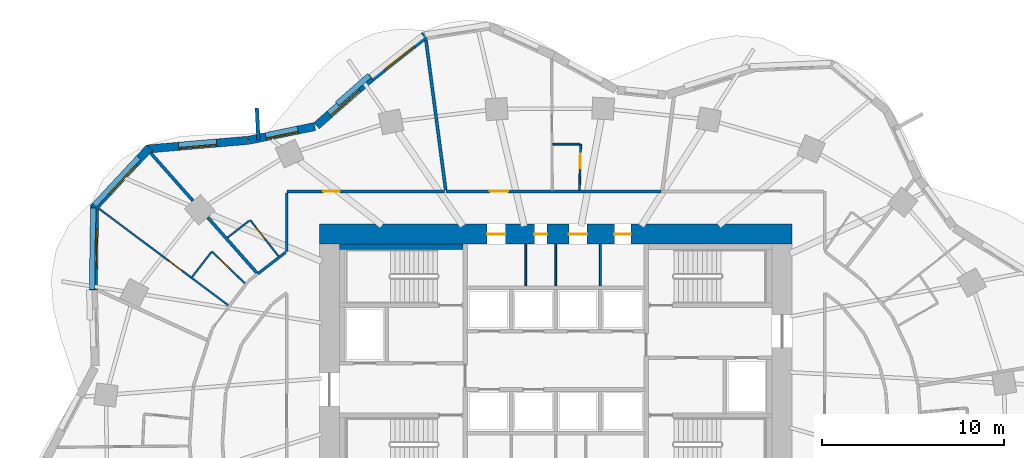
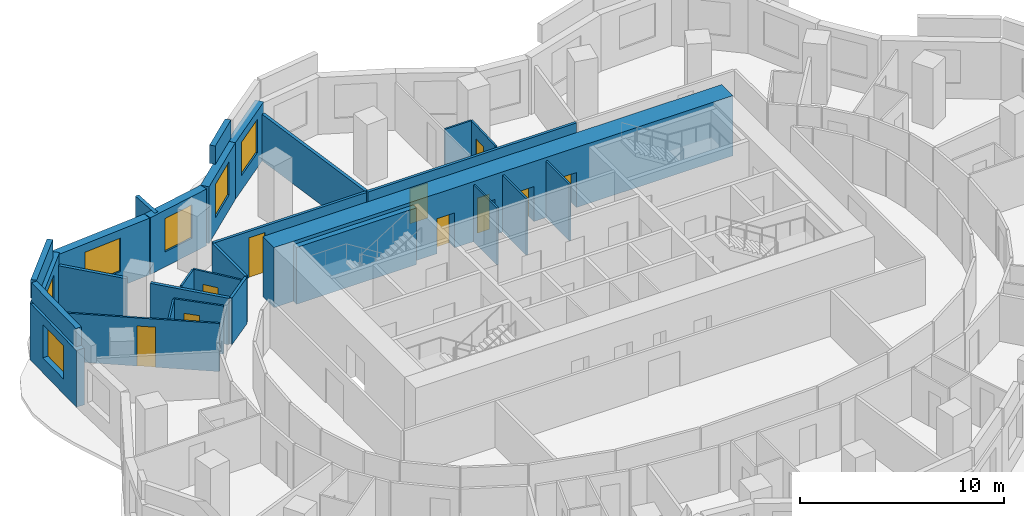
# One storey, part 8 of 11: 29 walls, 10 doors, 6 windows, 16 openings.
"""IFC4 building model written with IfcOpenShell, lengths in metres."""

import ifcopenshell
import ifcopenshell.guid

model = None  # the IFC model being written
_history = None  # IfcOwnerHistory: only IFC2X3 demands one
_inside = {}  # id of a spatial element -> (the spatial element, [elements in it])
_under = {}  # id of a project, library or spatial element -> (it, [spatial elements below it])
_declared = {}  # id of a project -> (the project, [libraries it declares])
_typed = {}  # id of a type object -> (the type object, [elements of that type])
_made_of = {}  # id of a material, layer set ... -> (it, [elements and type objects made of it])


def new_model(schema):
    """Start an empty IFC model of exactly this schema.

    Asked for "IFC4X3", IfcOpenShell would pick the latest addendum, in which some entities
    have other attributes; the version numbers below select the first issue.
    IFC2X3 requires an IfcOwnerHistory on every rooted entity: one is made here for all.
    """
    global model, _history
    if schema == "IFC4X3":
        model = ifcopenshell.file(schema_version=(4, 3, 0, 0))
    else:
        model = ifcopenshell.file(schema=schema)
    _inside.clear()
    _under.clear()
    _declared.clear()
    _typed.clear()
    _made_of.clear()
    _history = None
    if model.schema == "IFC2X3":
        org = make("IfcOrganization", Name="unknown")
        user = make(
            "IfcPersonAndOrganization",
            ThePerson=make("IfcPerson", FamilyName="unknown"),
            TheOrganization=org,
        )
        app = make(
            "IfcApplication",
            ApplicationDeveloper=org,
            Version="unknown",
            ApplicationFullName="unknown",
            ApplicationIdentifier="unknown",
        )
        _history = make(
            "IfcOwnerHistory",
            OwningUser=user,
            OwningApplication=app,
            ChangeAction="ADDED",
            CreationDate=0,
        )
    return model


def make(cls, **values):
    """One entity of the class cls with the attributes given. An attribute that is None is left unset."""
    return model.create_entity(
        cls, **{name: value for name, value in values.items() if value is not None}
    )


def rooted(cls, **values):
    """An entity with a GlobalId (a new one), such as an element, a storey or a relation."""
    return make(cls, GlobalId=ifcopenshell.guid.new(), OwnerHistory=_history, **values)


def si_unit(unit_type, name, prefix=None):
    """IfcSIUnit, for example si_unit("LENGTHUNIT", "METRE", prefix="MILLI")."""
    return make("IfcSIUnit", UnitType=unit_type, Prefix=prefix, Name=name)


def assignment(units):
    """IfcUnitAssignment: the units of a project."""
    return None if units is None else make("IfcUnitAssignment", Units=units)


def point(xyz):
    """IfcCartesianPoint."""
    return None if xyz is None else make("IfcCartesianPoint", Coordinates=xyz)


def direction(xyz):
    """IfcDirection."""
    return None if xyz is None else make("IfcDirection", DirectionRatios=xyz)


def frame(location, z_axis=None, x_axis=None):
    """IfcAxis2Placement3D, a coordinate frame: its origin and axes. An axis left out is left unset."""
    return make(
        "IfcAxis2Placement3D",
        Location=point(location),
        Axis=direction(z_axis),
        RefDirection=direction(x_axis),
    )


def frame_2d(location, x_axis=None):
    """IfcAxis2Placement2D, a coordinate frame in the plane: its origin and x axis."""
    return make(
        "IfcAxis2Placement2D", Location=point(location), RefDirection=direction(x_axis)
    )


def origin():
    """The frame at (0, 0, 0) with its axes left unset."""
    return frame((0.0, 0.0, 0.0))


def place(relative_to, where):
    """IfcLocalPlacement: puts the frame where relative to a parent placement (None: the world)."""
    return make(
        "IfcLocalPlacement", PlacementRelTo=relative_to, RelativePlacement=where
    )


def context(
    kind, dimensions, precision=None, world=None, true_north=None, identifier=None
):
    """IfcGeometricRepresentationContext, for example the 3D "Model" context."""
    return make(
        "IfcGeometricRepresentationContext",
        ContextIdentifier=identifier,
        ContextType=kind,
        CoordinateSpaceDimension=dimensions,
        Precision=precision,
        WorldCoordinateSystem=world,
        TrueNorth=true_north,
    )


def subcontext(parent, identifier, kind, view, scale=None):
    """IfcGeometricRepresentationSubContext, for example "Body" below "Model"."""
    return make(
        "IfcGeometricRepresentationSubContext",
        ContextIdentifier=identifier,
        ContextType=kind,
        ParentContext=parent,
        TargetScale=scale,
        TargetView=view,
    )


def project(units=None, contexts=None):
    """IfcProject with its units and contexts."""
    return rooted(
        "IfcProject",
        Name="project",
        RepresentationContexts=contexts,
        UnitsInContext=assignment(units),
    )


def spatial(cls, under=None, at=None, **own):
    """A site, building, storey or space (cls), placed at a placement, below another one or the project."""
    s = rooted(cls, ObjectPlacement=at, **own)
    if under is not None:
        _under.setdefault(under.id(), (under, []))[1].append(s)
    return s


def profile(cls, at=None, kind="AREA", **sizes):
    """A parametric profile (cls). Its sizes go by their IFC names, for example OverallWidth=200.0."""
    return make(cls, ProfileType=kind, Position=at, **sizes)


def rectangle(**sizes):
    """IfcRectangleProfileDef."""
    return profile("IfcRectangleProfileDef", **sizes)


def extrude(swept, where, along, depth):
    """IfcExtrudedAreaSolid: the profile swept, set in the frame where, extruded along a direction by depth."""
    return make(
        "IfcExtrudedAreaSolid",
        SweptArea=swept,
        Position=where,
        ExtrudedDirection=direction(along),
        Depth=depth,
    )


def shape(context_of_items, identifier, shape_type, items):
    """IfcShapeRepresentation: the items that make up one representation, for example the "Body"."""
    return make(
        "IfcShapeRepresentation",
        ContextOfItems=context_of_items,
        RepresentationIdentifier=identifier,
        RepresentationType=shape_type,
        Items=items,
    )


def material(Name=None, Category=None):
    """IfcMaterial."""
    return make("IfcMaterial", Name=Name, Category=Category)


def layer(
    of_material, thickness, ventilated=None, Name=None, Category=None, Priority=None
):
    """IfcMaterialLayer: one layer of a wall or slab, of a material (None: an air gap)."""
    return make(
        "IfcMaterialLayer",
        Material=of_material,
        LayerThickness=thickness,
        IsVentilated=ventilated,
        Name=Name,
        Category=Category,
        Priority=Priority,
    )


def layer_set(layers, Name=None):
    """IfcMaterialLayerSet."""
    return make("IfcMaterialLayerSet", MaterialLayers=layers, LayerSetName=Name)


def made_of(thing, what):
    """Note that an element or type object is made of a material, layer set ...; save() writes the relation."""
    if what is not None:
        _made_of.setdefault(what.id(), (what, []))[1].append(thing)
    return thing


def type_object(cls, material=None, **own):
    """A type object (cls), such as IfcWallType, which elements share."""
    return made_of(rooted(cls, **own), material)


def element(
    cls,
    number,
    at=None,
    inside=None,
    cuts=None,
    type_object=None,
    material=None,
    context=None,
    identifier="Body",
    shape_type=None,
    held_by="IfcProductDefinitionShape",
    body=None,
    shapes=None,
    **own,
):
    """One element of the class cls, such as IfcWall. Its Tag is "e" and its number.

    at: its placement. inside: the storey or other place that contains it. cuts: it is an
    opening in that element (IfcRelVoidsElement). A single representation is given by context,
    identifier, shape_type and body (its items); several are given by shapes. held_by: the class
    of the entity that holds the representations. save() writes the other relations.
    """
    e = rooted(cls, Tag="e%d" % number, ObjectPlacement=at, **own)
    if body is not None:
        shapes = [shape(context, identifier, shape_type, body)]
    if shapes is not None:
        e.Representation = make(held_by, Representations=shapes)
    if inside is not None:
        _inside.setdefault(inside.id(), (inside, []))[1].append(e)
    if cuts is not None:
        rooted(
            "IfcRelVoidsElement", RelatingBuildingElement=cuts, RelatedOpeningElement=e
        )
    if type_object is not None:
        _typed.setdefault(type_object.id(), (type_object, []))[1].append(e)
    return made_of(e, material)


def fill(opening, filler):
    """IfcRelFillsElement: the door or window that sits in an opening."""
    return rooted(
        "IfcRelFillsElement",
        RelatingOpeningElement=opening,
        RelatedBuildingElement=filler,
    )


def aggregate(whole, parts):
    """IfcRelAggregates: a whole, such as a stair, and the parts it consists of."""
    return rooted("IfcRelAggregates", RelatingObject=whole, RelatedObjects=parts)


def save(model, path):
    """Write the relations noted so far, then the file.

    IfcRelAggregates (storeys below a building ...), IfcRelContainedInSpatialStructure (elements
    in a storey), IfcRelDefinesByType, IfcRelAssociatesMaterial and IfcRelDeclares: one each for
    every whole, place, type object, material and project.
    """
    for whole, parts in _under.values():
        aggregate(whole, parts)
    for where, things in _inside.values():
        rooted(
            "IfcRelContainedInSpatialStructure",
            RelatedElements=things,
            RelatingStructure=where,
        )
    for kind, things in _typed.values():
        rooted("IfcRelDefinesByType", RelatedObjects=things, RelatingType=kind)
    for what, things in _made_of.values():
        rooted("IfcRelAssociatesMaterial", RelatedObjects=things, RelatingMaterial=what)
    for by, libraries in _declared.values():
        rooted("IfcRelDeclares", RelatingContext=by, RelatedDefinitions=libraries)
    model.write(path)


model = new_model("IFC4")

# Units and contexts
model_context = context("Model", 3, precision=1e-05, world=origin(), true_north=direction((0.0, 1.0)))
body_context = subcontext(model_context, "Body", "Model", "MODEL_VIEW")
ifc_project = project(units=[si_unit("LENGTHUNIT", "METRE"), si_unit("AREAUNIT", "SQUARE_METRE"), si_unit("VOLUMEUNIT", "CUBIC_METRE"), si_unit("PLANEANGLEUNIT", "RADIAN"), si_unit("MASSUNIT", "GRAM", prefix="KILO")], contexts=[model_context])

# Site, building, storey
site_placement = place(None, origin())
site = spatial("IfcSite", under=ifc_project, at=site_placement, CompositionType="ELEMENT")
building_placement = place(site_placement, origin())
building = spatial("IfcBuilding", under=site, at=building_placement, Name="Rubra Terraces Tower", CompositionType="ELEMENT")
storey_placement = place(building_placement, frame((0.0, 0.0, 114.0)))
storey = spatial("IfcBuildingStorey", under=building, at=storey_placement, Name="L27", CompositionType="ELEMENT", Elevation=114.0)

# Walls
ifc_material_1 = material(Name="Twin plasterboard on staggered steel stud, acoustic mineral wool", Category="steel")
ifc_layer_1 = layer(ifc_material_1, 0.175048828125)
ifc_layer_set_1 = layer_set([ifc_layer_1], Name="Twin plasterboard on staggered steel stud, acoustic mineral wool")
wall_type_1 = type_object("IfcWallType", Name="ACOUSTIC PARTY WALL 175", PredefinedType="PARTITIONING", material=ifc_layer_set_1)
wall_1_placement = place(storey_placement, frame((-7.1435546875, 22.129638671875, 0.0), z_axis=(0.0, 0.0, 1.0), x_axis=(0.130452237095, -0.991454594945, 0.0)))
element("IfcWall", 1, at=wall_1_placement, inside=storey, type_object=wall_type_1, Name="PARTITION", PredefinedType="PARTITIONING", context=body_context, shape_type="SweptSolid", body=[
    extrude(rectangle(XDim=8.326171875, YDim=0.175048828125, at=frame_2d((4.1630859375, 0.0))), origin(), (0.0, 0.0, 1.0), 2.783935546875),
])
wall_2_placement = place(storey_placement, frame((-22.295166015625, 15.91796875, 0.0), z_axis=(0.0, 0.0, 1.0), x_axis=(0.663107572679, -0.748524112541, 0.0)))
element("IfcWall", 2, at=wall_2_placement, inside=storey, type_object=wall_type_1, Name="PARTITION", PredefinedType="PARTITIONING", context=body_context, shape_type="SweptSolid", body=[
    extrude(rectangle(XDim=3.5126953125, YDim=0.175048828125, at=frame_2d((1.75634765625, 0.0))), origin(), (0.0, 0.0, 1.0), 2.783935546875),
])
wall_3_placement = place(storey_placement, frame((-19.143310546875, 12.3603515625, 0.0), z_axis=(0.0, 0.0, 1.0), x_axis=(0.663132391124, -0.748502125476, 0.0)))
element("IfcWall", 3, at=wall_3_placement, inside=storey, type_object=wall_type_1, Name="PARTITION", PredefinedType="PARTITIONING", context=body_context, shape_type="SweptSolid", body=[
    extrude(rectangle(XDim=4.063720703125, YDim=0.175048828125, at=frame_2d((2.03173828125, 0.0))), origin(), (0.0, 0.0, 1.0), 2.783935546875),
])

# Wall, opening, window
ifc_material_2 = material(Name="Brick masonry red-brown", Category="masonry")
ifc_layer_2 = layer(ifc_material_2, 0.449951171875)
ifc_layer_set_2 = layer_set([ifc_layer_2], Name="Brick masonry red-brown")
wall_type_2 = type_object("IfcWallType", Name="Brick facade wall 450", PredefinedType="SOLIDWALL", material=ifc_layer_set_2)
wall_4_placement = place(storey_placement, frame((-7.192626953125, 22.3828125, 0.0), z_axis=(0.0, 0.0, 1.0), x_axis=(-0.784803291184, -0.619744942816, 0.0)))
wall_4 = element("IfcWall", 4, at=wall_4_placement, inside=storey, type_object=wall_type_2, Name="Facade wall L27 bay 13", PredefinedType="SOLIDWALL", context=body_context, shape_type="SweptSolid", body=[
    extrude(rectangle(XDim=3.774658203125, YDim=0.449951171875, at=frame_2d((1.88720703125, 0.0))), origin(), (0.0, 0.0, 1.0), 3.39990234375),
])
opening_1_placement = place(wall_4_placement, frame((0.83740234375, 0.0, 0.89990234375)))
opening_1 = element("IfcOpeningElement", 5, at=opening_1_placement, cuts=wall_4, Name="Opening W1", PredefinedType="OPENING", context=body_context, shape_type="SweptSolid", body=[
    extrude(rectangle(XDim=2.10009765625, YDim=2.0, at=frame_2d((1.050048828125, 1.0))), frame((0.0, 0.23486328125, 0.0), z_axis=(0.0, -1.0, 0.0), x_axis=(1.0, 0.0, 0.0)), (0.0, 0.0, 1.0), 0.469970703125),
])
ifc_material_3 = material(Name="Clear glass in aluminium frame", Category="aluminium")
window_type_1 = type_object("IfcWindowType", Name="Fixed deep-set window 2100 x 2000", PartitioningType="SINGLE_PANEL", PredefinedType="WINDOW", material=ifc_material_3)
window_1_placement = place(opening_1_placement, origin())
window_1 = element("IfcWindow", 6, at=window_1_placement, inside=storey, type_object=window_type_1, Name="Window L27 bay 13", OverallHeight=2.0, OverallWidth=2.10009765625, PartitioningType="SINGLE_PANEL", PredefinedType="WINDOW", context=body_context, shape_type="SweptSolid", body=[
    extrude(rectangle(XDim=2.10009765625, YDim=2.0, at=frame_2d((1.050048828125, 1.0))), frame((0.0, 0.135009765625, 0.0), z_axis=(0.0, -1.0, 0.0), x_axis=(1.0, 0.0, 0.0)), (0.0, 0.0, 1.0), 0.06005859375),
])
fill(opening_1, window_1)

wall_5_placement = place(storey_placement, frame((-10.146484375, 20.050537109375, 0.0), z_axis=(0.0, 0.0, 1.0), x_axis=(-0.753278140428, -0.657702093013, 0.0)))
wall_5 = element("IfcWall", 7, at=wall_5_placement, inside=storey, type_object=wall_type_2, Name="Facade wall L27 bay 14", PredefinedType="SOLIDWALL", context=body_context, shape_type="SweptSolid", body=[
    extrude(rectangle(XDim=4.0078125, YDim=0.449951171875, at=frame_2d((2.00390625, 0.0))), origin(), (0.0, 0.0, 1.0), 3.39990234375),
])
opening_2_placement = place(wall_5_placement, frame((0.9541015625, 0.0, 0.89990234375)))
opening_2 = element("IfcOpeningElement", 8, at=opening_2_placement, cuts=wall_5, Name="Opening W1", PredefinedType="OPENING", context=body_context, shape_type="SweptSolid", body=[
    extrude(rectangle(XDim=2.10009765625, YDim=2.0, at=frame_2d((1.050048828125, 1.0))), frame((0.0, 0.23486328125, 0.0), z_axis=(0.0, -1.0, 0.0), x_axis=(1.0, 0.0, 0.0)), (0.0, 0.0, 1.0), 0.469970703125),
])
window_2_placement = place(opening_2_placement, origin())
window_2 = element("IfcWindow", 9, at=window_2_placement, inside=storey, type_object=window_type_1, Name="Window L27 bay 14", OverallHeight=2.0, OverallWidth=2.10009765625, PartitioningType="SINGLE_PANEL", PredefinedType="WINDOW", context=body_context, shape_type="SweptSolid", body=[
    extrude(rectangle(XDim=2.10009765625, YDim=2.0, at=frame_2d((1.050048828125, 1.0))), frame((0.0, 0.135009765625, 0.0), z_axis=(0.0, -1.0, 0.0), x_axis=(1.0, 0.0, 0.0)), (0.0, 0.0, 1.0), 0.06005859375),
])
fill(opening_2, window_2)

wall_6_placement = place(storey_placement, frame((-13.2578125, 17.3671875, 0.0), z_axis=(0.0, 0.0, 1.0), x_axis=(-0.97914968674, -0.203140077183, 0.0)))
wall_6 = element("IfcWall", 10, at=wall_6_placement, inside=storey, type_object=wall_type_2, Name="Facade wall L27 bay 15", PredefinedType="SOLIDWALL", context=body_context, shape_type="SweptSolid", body=[
    extrude(rectangle(XDim=3.700439453125, YDim=0.449951171875, at=frame_2d((1.85009765625, 0.0))), origin(), (0.0, 0.0, 1.0), 3.39990234375),
])
opening_3_placement = place(wall_6_placement, frame((0.9501953125, 0.0, 0.89990234375)))
opening_3 = element("IfcOpeningElement", 11, at=opening_3_placement, cuts=wall_6, Name="Opening W6", PredefinedType="OPENING", context=body_context, shape_type="SweptSolid", body=[
    extrude(rectangle(XDim=1.800048828125, YDim=2.0, at=frame_2d((0.89990234375, 1.0))), frame((0.0, 0.23486328125, 0.0), z_axis=(0.0, -1.0, 0.0), x_axis=(1.0, 0.0, 0.0)), (0.0, 0.0, 1.0), 0.469970703125),
])
window_type_2 = type_object("IfcWindowType", Name="Fixed deep-set window at wind fin 1800 x 2000", PartitioningType="SINGLE_PANEL", PredefinedType="WINDOW", material=ifc_material_3)
window_3_placement = place(opening_3_placement, origin())
window_3 = element("IfcWindow", 12, at=window_3_placement, inside=storey, type_object=window_type_2, Name="Window L27 bay 15", OverallHeight=2.0, OverallWidth=1.800048828125, PartitioningType="SINGLE_PANEL", PredefinedType="WINDOW", context=body_context, shape_type="SweptSolid", body=[
    extrude(rectangle(XDim=1.800048828125, YDim=2.0, at=frame_2d((0.89990234375, 1.0))), frame((0.0, 0.135009765625, 0.0), z_axis=(0.0, -1.0, 0.0), x_axis=(1.0, 0.0, 0.0)), (0.0, 0.0, 1.0), 0.06005859375),
])
fill(opening_3, window_3)

wall_7_placement = place(storey_placement, frame((-16.91015625, 16.610107421875, 0.0), z_axis=(0.0, 0.0, 1.0), x_axis=(-0.996333165816, -0.085558299972, 0.0)))
wall_7 = element("IfcWall", 13, at=wall_7_placement, inside=storey, type_object=wall_type_2, Name="Facade wall L27 bay 16", PredefinedType="SOLIDWALL", context=body_context, shape_type="SweptSolid", body=[
    extrude(rectangle(XDim=5.595703125, YDim=0.449951171875, at=frame_2d((2.7978515625, 0.0))), origin(), (0.0, 0.0, 1.0), 3.39990234375),
])
opening_4_placement = place(wall_7_placement, frame((1.747802734375, 0.0, 0.89990234375)))
opening_4 = element("IfcOpeningElement", 14, at=opening_4_placement, cuts=wall_7, Name="Opening W1", PredefinedType="OPENING", context=body_context, shape_type="SweptSolid", body=[
    extrude(rectangle(XDim=2.10009765625, YDim=2.0, at=frame_2d((1.050048828125, 1.0))), frame((0.0, 0.23486328125, 0.0), z_axis=(0.0, -1.0, 0.0), x_axis=(1.0, 0.0, 0.0)), (0.0, 0.0, 1.0), 0.469970703125),
])
window_4_placement = place(opening_4_placement, origin())
window_4 = element("IfcWindow", 15, at=window_4_placement, inside=storey, type_object=window_type_1, Name="Window L27 bay 16", OverallHeight=2.0, OverallWidth=2.10009765625, PartitioningType="SINGLE_PANEL", PredefinedType="WINDOW", context=body_context, shape_type="SweptSolid", body=[
    extrude(rectangle(XDim=2.10009765625, YDim=2.0, at=frame_2d((1.050048828125, 1.0))), frame((0.0, 0.135009765625, 0.0), z_axis=(0.0, -1.0, 0.0), x_axis=(1.0, 0.0, 0.0)), (0.0, 0.0, 1.0), 0.06005859375),
])
fill(opening_4, window_4)

wall_8_placement = place(storey_placement, frame((-22.34521484375, 16.20166015625, 0.0), z_axis=(0.0, 0.0, 1.0), x_axis=(-0.681249161265, -0.732051624051, 0.0)))
wall_8 = element("IfcWall", 16, at=wall_8_placement, inside=storey, type_object=wall_type_2, Name="Facade wall L27 bay 17", PredefinedType="SOLIDWALL", context=body_context, shape_type="SweptSolid", body=[
    extrude(rectangle(XDim=4.52685546875, YDim=0.449951171875, at=frame_2d((2.263427734375, 0.0))), origin(), (0.0, 0.0, 1.0), 3.39990234375),
])
opening_5_placement = place(wall_8_placement, frame((1.21337890625, 0.0, 0.89990234375)))
opening_5 = element("IfcOpeningElement", 17, at=opening_5_placement, cuts=wall_8, Name="Opening W1", PredefinedType="OPENING", context=body_context, shape_type="SweptSolid", body=[
    extrude(rectangle(XDim=2.10009765625, YDim=2.0, at=frame_2d((1.050048828125, 1.0))), frame((0.0, 0.23486328125, 0.0), z_axis=(0.0, -1.0, 0.0), x_axis=(1.0, 0.0, 0.0)), (0.0, 0.0, 1.0), 0.469970703125),
])
window_5_placement = place(opening_5_placement, origin())
window_5 = element("IfcWindow", 18, at=window_5_placement, inside=storey, type_object=window_type_1, Name="Window L27 bay 17", OverallHeight=2.0, OverallWidth=2.10009765625, PartitioningType="SINGLE_PANEL", PredefinedType="WINDOW", context=body_context, shape_type="SweptSolid", body=[
    extrude(rectangle(XDim=2.10009765625, YDim=2.0, at=frame_2d((1.050048828125, 1.0))), frame((0.0, 0.135009765625, 0.0), z_axis=(0.0, -1.0, 0.0), x_axis=(1.0, 0.0, 0.0)), (0.0, 0.0, 1.0), 0.06005859375),
])
fill(opening_5, window_5)

wall_9_placement = place(storey_placement, frame((-25.369140625, 13.031982421875, 0.0), z_axis=(0.0, 0.0, 1.0), x_axis=(-0.015383599855, -0.999881665426, 0.0)))
wall_9 = element("IfcWall", 19, at=wall_9_placement, inside=storey, type_object=wall_type_2, Name="Facade wall L27 bay 18", PredefinedType="SOLIDWALL", context=body_context, shape_type="SweptSolid", body=[
    extrude(rectangle(XDim=4.665771484375, YDim=0.449951171875, at=frame_2d((2.3330078125, 0.0))), origin(), (0.0, 0.0, 1.0), 3.39990234375),
])
opening_6_placement = place(wall_9_placement, frame((1.282958984375, 0.0, 0.89990234375)))
opening_6 = element("IfcOpeningElement", 20, at=opening_6_placement, cuts=wall_9, Name="Opening W1", PredefinedType="OPENING", context=body_context, shape_type="SweptSolid", body=[
    extrude(rectangle(XDim=2.10009765625, YDim=2.0, at=frame_2d((1.050048828125, 1.0))), frame((0.0, 0.23486328125, 0.0), z_axis=(0.0, -1.0, 0.0), x_axis=(1.0, 0.0, 0.0)), (0.0, 0.0, 1.0), 0.469970703125),
])
window_6_placement = place(opening_6_placement, origin())
window_6 = element("IfcWindow", 21, at=window_6_placement, inside=storey, type_object=window_type_1, Name="Window L27 bay 18", OverallHeight=2.0, OverallWidth=2.10009765625, PartitioningType="SINGLE_PANEL", PredefinedType="WINDOW", context=body_context, shape_type="SweptSolid", body=[
    extrude(rectangle(XDim=2.10009765625, YDim=2.0, at=frame_2d((1.050048828125, 1.0))), frame((0.0, 0.135009765625, 0.0), z_axis=(0.0, -1.0, 0.0), x_axis=(1.0, 0.0, 0.0)), (0.0, 0.0, 1.0), 0.06005859375),
])
fill(opening_6, window_6)

# Walls
ifc_layer_3 = layer(ifc_material_2, 0.300048828125)
ifc_layer_set_3 = layer_set([ifc_layer_3], Name="Brick masonry red-brown")
wall_type_3 = type_object("IfcWallType", Name="Brick parapet 300", PredefinedType="PARAPET", material=ifc_layer_set_3)
wall_10_placement = place(storey_placement, frame((-10.252197265625, 20.17431640625, 3.60009765625), z_axis=(0.0, 0.0, 1.0), x_axis=(-0.753260147018, -0.657722700622, 0.0)))
element("IfcWall", 22, at=wall_10_placement, inside=storey, type_object=wall_type_3, Name="Parapet L27 bay 14", PredefinedType="PARAPET", context=body_context, shape_type="SweptSolid", body=[
    extrude(rectangle(XDim=2.366455078125, YDim=0.300048828125, at=frame_2d((1.18310546875, 0.0))), origin(), (0.0, 0.0, 1.0), 1.099853515625),
])
wall_11_placement = place(storey_placement, frame((-22.947509765625, 15.66455078125, 3.60009765625), z_axis=(0.0, 0.0, 1.0), x_axis=(-0.681269800001, -0.732032417046, 0.0)))
element("IfcWall", 23, at=wall_11_placement, inside=storey, type_object=wall_type_3, Name="Parapet L27 bay 17", PredefinedType="PARAPET", context=body_context, shape_type="SweptSolid", body=[
    extrude(rectangle(XDim=3.578125, YDim=0.300048828125, at=frame_2d((1.7890625, 0.0))), origin(), (0.0, 0.0, 1.0), 1.099853515625),
])
wall_12_placement = place(storey_placement, frame((-25.4462890625, 12.893310546875, 3.60009765625), z_axis=(0.0, 0.0, 1.0), x_axis=(-0.015386139974, -0.999881626342, 0.0)))
element("IfcWall", 24, at=wall_12_placement, inside=storey, type_object=wall_type_3, Name="Parapet L27 bay 18", PredefinedType="PARAPET", context=body_context, shape_type="SweptSolid", body=[
    extrude(rectangle(XDim=4.490478515625, YDim=0.300048828125, at=frame_2d((2.2451171875, 0.0))), origin(), (0.0, 0.0, 1.0), 1.099853515625),
])
ifc_layer_4 = layer(ifc_material_2, 0.199951171875)
ifc_layer_set_4 = layer_set([ifc_layer_4], Name="Brick masonry red-brown")
wall_type_4 = type_object("IfcWallType", Name="Brick wind fin 200", PredefinedType="SOLIDWALL", material=ifc_layer_set_4)
wall_13_placement = place(storey_placement, frame((-16.361083984375, 16.635986328125, 0.0), z_axis=(0.0, 0.0, 1.0), x_axis=(-0.048552811097, 0.998820616795, 0.0)))
element("IfcWall", 25, at=wall_13_placement, inside=storey, type_object=wall_type_4, Name="Wind fin L27 9", PredefinedType="SOLIDWALL", context=body_context, shape_type="SweptSolid", body=[
    extrude(rectangle(XDim=1.749755859375, YDim=0.199951171875, at=frame_2d((0.875, 0.0))), origin(), (0.0, 0.0, 1.0), 3.39990234375),
])

# Wall, openings, doors
ifc_material_4 = material(Name="Concrete C60", Category="concrete")
ifc_layer_5 = layer(ifc_material_4, 1.10009765625)
ifc_layer_set_5 = layer_set([ifc_layer_5], Name="Concrete C60")
wall_type_5 = type_object("IfcWallType", Name="CORE WALL 1100 C60", PredefinedType="SHEAR", material=ifc_layer_set_5)
wall_14_placement = place(storey_placement, frame((-13.0, 11.449951171875, 0.0), z_axis=(0.0, 0.0, 1.0), x_axis=(1.0, 0.0, 0.0)))
wall_14 = element("IfcWall", 26, at=wall_14_placement, inside=storey, type_object=wall_type_5, Name="CORE WALL N L27", PredefinedType="SHEAR", context=body_context, shape_type="SweptSolid", body=[
    extrude(rectangle(XDim=26.0, YDim=1.10009765625, at=frame_2d((13.0, 0.0))), origin(), (0.0, 0.0, 1.0), 3.60009765625),
])
opening_7_placement = place(wall_14_placement, frame((9.22509765625, 0.0, 0.0)))
opening_7 = element("IfcOpeningElement", 27, at=opening_7_placement, cuts=wall_14, Name="Opening L27.C23", PredefinedType="OPENING", context=body_context, shape_type="SweptSolid", body=[
    extrude(rectangle(XDim=1.0, YDim=2.10009765625, at=frame_2d((0.5, 1.050048828125))), frame((0.0, 0.56005859375, 0.0), z_axis=(0.0, -1.0, 0.0), x_axis=(1.0, 0.0, 0.0)), (0.0, 0.0, 1.0), 1.1201171875),
])
opening_8_placement = place(wall_14_placement, frame((11.824951171875, 0.0, 0.0)))
opening_8 = element("IfcOpeningElement", 28, at=opening_8_placement, cuts=wall_14, Name="Opening L27.C24", PredefinedType="OPENING", context=body_context, shape_type="SweptSolid", body=[
    extrude(rectangle(XDim=0.699951171875, YDim=2.10009765625, at=frame_2d((0.35009765625, 1.050048828125))), frame((0.0, 0.56005859375, 0.0), z_axis=(0.0, -1.0, 0.0), x_axis=(1.0, 0.0, 0.0)), (0.0, 0.0, 1.0), 1.1201171875),
])
opening_9_placement = place(wall_14_placement, frame((13.72509765625, 0.0, 0.0)))
opening_9 = element("IfcOpeningElement", 29, at=opening_9_placement, cuts=wall_14, Name="Opening L27.C25", PredefinedType="OPENING", context=body_context, shape_type="SweptSolid", body=[
    extrude(rectangle(XDim=1.0, YDim=2.10009765625, at=frame_2d((0.5, 1.050048828125))), frame((0.0, 0.56005859375, 0.0), z_axis=(0.0, -1.0, 0.0), x_axis=(1.0, 0.0, 0.0)), (0.0, 0.0, 1.0), 1.1201171875),
])
opening_10_placement = place(wall_14_placement, frame((16.22509765625, 0.0, 0.0)))
opening_10 = element("IfcOpeningElement", 30, at=opening_10_placement, cuts=wall_14, Name="Opening L27.C26", PredefinedType="OPENING", context=body_context, shape_type="SweptSolid", body=[
    extrude(rectangle(XDim=0.89990234375, YDim=2.10009765625, at=frame_2d((0.449951171875, 1.050048828125))), frame((0.0, 0.56005859375, 0.0), z_axis=(0.0, -1.0, 0.0), x_axis=(1.0, 0.0, 0.0)), (0.0, 0.0, 1.0), 1.1201171875),
])
ifc_material_5 = material(Name="Painted steel", Category="steel")
door_type_1 = type_object("IfcDoorType", Name="Fire door 1000x2100 single", OperationType="NOTDEFINED", PredefinedType="DOOR", material=ifc_material_5)
door_1_placement = place(opening_7_placement, origin())
door_1 = element("IfcDoor", 31, at=door_1_placement, inside=storey, type_object=door_type_1, Name="General store door", OperationType="SINGLE_SWING_LEFT", OverallHeight=2.10009765625, OverallWidth=1.0, PredefinedType="DOOR", context=body_context, shape_type="SweptSolid", body=[
    extrude(rectangle(XDim=1.0, YDim=2.10009765625, at=frame_2d((0.5, 1.050048828125))), frame((0.0, 0.02490234375, 0.0), z_axis=(0.0, -1.0, 0.0), x_axis=(1.0, 0.0, 0.0)), (0.0, 0.0, 1.0), 0.050048828125),
])
fill(opening_7, door_1)
door_2_placement = place(opening_9_placement, origin())
door_2 = element("IfcDoor", 32, at=door_2_placement, inside=storey, type_object=door_type_1, Name="Tea point door", OperationType="SINGLE_SWING_LEFT", OverallHeight=2.10009765625, OverallWidth=1.0, PredefinedType="DOOR", context=body_context, shape_type="SweptSolid", body=[
    extrude(rectangle(XDim=1.0, YDim=2.10009765625, at=frame_2d((0.5, 1.050048828125))), frame((0.0, 0.02490234375, 0.0), z_axis=(0.0, -1.0, 0.0), x_axis=(1.0, 0.0, 0.0)), (0.0, 0.0, 1.0), 0.050048828125),
])
fill(opening_9, door_2)
door_type_2 = type_object("IfcDoorType", Name="Fire door 900x2100 single", OperationType="NOTDEFINED", PredefinedType="DOOR", material=ifc_material_5)
door_3_placement = place(opening_10_placement, origin())
door_3 = element("IfcDoor", 33, at=door_3_placement, inside=storey, type_object=door_type_2, Name="Cleaner's store door", OperationType="SINGLE_SWING_RIGHT", OverallHeight=2.10009765625, OverallWidth=0.89990234375, PredefinedType="DOOR", context=body_context, shape_type="SweptSolid", body=[
    extrude(rectangle(XDim=0.89990234375, YDim=2.10009765625, at=frame_2d((0.449951171875, 1.050048828125))), frame((0.0, 0.02490234375, 0.0), z_axis=(0.0, -1.0, 0.0), x_axis=(1.0, 0.0, 0.0)), (0.0, 0.0, 1.0), 0.050048828125),
])
fill(opening_10, door_3)
door_type_3 = type_object("IfcDoorType", Name="Riser access door 700x2100 single", OperationType="NOTDEFINED", PredefinedType="DOOR", material=ifc_material_5)
door_4_placement = place(opening_8_placement, origin())
door_4 = element("IfcDoor", 34, at=door_4_placement, inside=storey, type_object=door_type_3, Name="Electrical riser room door", OperationType="SINGLE_SWING_RIGHT", OverallHeight=2.10009765625, OverallWidth=0.699951171875, PredefinedType="DOOR", context=body_context, shape_type="SweptSolid", body=[
    extrude(rectangle(XDim=0.699951171875, YDim=2.10009765625, at=frame_2d((0.35009765625, 1.050048828125))), frame((0.0, 0.02490234375, 0.0), z_axis=(0.0, -1.0, 0.0), x_axis=(1.0, 0.0, 0.0)), (0.0, 0.0, 1.0), 0.050048828125),
])
fill(opening_8, door_4)

# Wall, opening, door
ifc_material_6 = material(Name="Plasterboard on steel stud, mineral wool infill", Category="steel")
ifc_layer_6 = layer(ifc_material_6, 0.14990234375)
ifc_layer_set_6 = layer_set([ifc_layer_6], Name="Plasterboard on steel stud, mineral wool infill")
wall_type_6 = type_object("IfcWallType", Name="CORRIDOR PARTITION 150", PredefinedType="PARTITIONING", material=ifc_layer_set_6)
wall_15_placement = place(storey_placement, frame((5.77685546875, 13.800048828125, 0.0), z_axis=(0.0, 0.0, 1.0), x_axis=(-1.0, 0.0, 0.0)))
wall_15 = element("IfcWall", 35, at=wall_15_placement, inside=storey, type_object=wall_type_6, Name="PARTITION", PredefinedType="PARTITIONING", context=body_context, shape_type="SweptSolid", body=[
    extrude(rectangle(XDim=11.824462890625, YDim=0.14990234375, at=frame_2d((5.912109375, 0.0))), origin(), (0.0, 0.0, 1.0), 2.783935546875),
])
opening_11_placement = place(wall_15_placement, frame((8.402099609375, 0.0, 0.0)))
opening_11 = element("IfcOpeningElement", 36, at=opening_11_placement, cuts=wall_15, Name="Opening 27-119", PredefinedType="OPENING", context=body_context, shape_type="SweptSolid", body=[
    extrude(rectangle(XDim=1.0, YDim=2.10009765625, at=frame_2d((0.5, 1.050048828125))), frame((0.0, 0.0849609375, 0.0), z_axis=(0.0, -1.0, 0.0), x_axis=(1.0, 0.0, 0.0)), (0.0, 0.0, 1.0), 0.169921875),
])
ifc_material_7 = material(Name="Painted timber door leaf", Category="wood")
door_type_4 = type_object("IfcDoorType", Name="ROOM DOOR 1000 X 2100", OperationType="SINGLE_SWING_LEFT", PredefinedType="DOOR", material=ifc_material_7)
door_5_placement = place(opening_11_placement, origin())
door_5 = element("IfcDoor", 37, at=door_5_placement, inside=storey, type_object=door_type_4, Name="DOOR 27-119", OperationType="SINGLE_SWING_RIGHT", OverallHeight=2.10009765625, OverallWidth=1.0, PredefinedType="DOOR", context=body_context, shape_type="SweptSolid", body=[
    extrude(rectangle(XDim=1.0, YDim=2.10009765625, at=frame_2d((0.5, 1.050048828125))), frame((0.0, 0.02490234375, 0.0), z_axis=(0.0, -1.0, 0.0), x_axis=(1.0, 0.0, 0.0)), (0.0, 0.0, 1.0), 0.050048828125),
])
fill(opening_11, door_5)

wall_16_placement = place(storey_placement, frame((-6.12255859375, 13.800048828125, 0.0), z_axis=(0.0, 0.0, 1.0), x_axis=(-1.0, 0.0, 0.0)))
wall_16 = element("IfcWall", 38, at=wall_16_placement, inside=storey, type_object=wall_type_6, Name="PARTITION", PredefinedType="PARTITIONING", context=body_context, shape_type="SweptSolid", body=[
    extrude(rectangle(XDim=8.677490234375, YDim=0.14990234375, at=frame_2d((4.3388671875, 0.0))), origin(), (0.0, 0.0, 1.0), 2.783935546875),
])
opening_12_placement = place(wall_16_placement, frame((5.762939453125, 0.0, 0.0)))
opening_12 = element("IfcOpeningElement", 39, at=opening_12_placement, cuts=wall_16, Name="Opening 27-121", PredefinedType="OPENING", context=body_context, shape_type="SweptSolid", body=[
    extrude(rectangle(XDim=0.89990234375, YDim=2.39990234375, at=frame_2d((0.449951171875, 1.199951171875))), frame((0.0, 0.0849609375, 0.0), z_axis=(0.0, -1.0, 0.0), x_axis=(1.0, 0.0, 0.0)), (0.0, 0.0, 1.0), 0.169921875),
])
ifc_material_8 = material(Name="Veneered timber door leaf, fire-rated", Category="wood")
door_type_5 = type_object("IfcDoorType", Name="SUITE ENTRANCE DOOR 900 X 2400", OperationType="SINGLE_SWING_LEFT", PredefinedType="DOOR", material=ifc_material_8)
door_6_placement = place(opening_12_placement, origin())
door_6 = element("IfcDoor", 40, at=door_6_placement, inside=storey, type_object=door_type_5, Name="DOOR 27-121", OperationType="SINGLE_SWING_RIGHT", OverallHeight=2.39990234375, OverallWidth=0.89990234375, PredefinedType="DOOR", context=body_context, shape_type="SweptSolid", body=[
    extrude(rectangle(XDim=0.89990234375, YDim=2.39990234375, at=frame_2d((0.449951171875, 1.199951171875))), frame((0.0, 0.02490234375, 0.0), z_axis=(0.0, -1.0, 0.0), x_axis=(1.0, 0.0, 0.0)), (0.0, 0.0, 1.0), 0.050048828125),
])
fill(opening_12, door_6)

# Walls
wall_17_placement = place(storey_placement, frame((-14.800048828125, 13.72509765625, 0.0), z_axis=(0.0, 0.0, 1.0), x_axis=(0.0, -1.0, 0.0)))
element("IfcWall", 41, at=wall_17_placement, inside=storey, type_object=wall_type_6, Name="PARTITION", PredefinedType="PARTITIONING", context=body_context, shape_type="SweptSolid", body=[
    extrude(rectangle(XDim=3.228271484375, YDim=0.14990234375, at=frame_2d((1.6142578125, 0.0))), origin(), (0.0, 0.0, 1.0), 2.783935546875),
])
wall_18_placement = place(storey_placement, frame((-14.859619140625, 10.451171875, 0.0), z_axis=(0.0, 0.0, 1.0), x_axis=(-0.791530658389, -0.611129459959, 0.0)))
element("IfcWall", 42, at=wall_18_placement, inside=storey, type_object=wall_type_6, Name="PARTITION", PredefinedType="PARTITIONING", context=body_context, shape_type="SweptSolid", body=[
    extrude(rectangle(XDim=1.94482421875, YDim=0.14990234375, at=frame_2d((0.972412109375, 0.0))), origin(), (0.0, 0.0, 1.0), 2.783935546875),
])
ifc_material_9 = material(Name="Concrete C40", Category="concrete")
ifc_layer_7 = layer(ifc_material_9, 0.300048828125)
ifc_layer_set_7 = layer_set([ifc_layer_7], Name="Concrete C40")
wall_type_7 = type_object("IfcWallType", Name="Core lining wall 300 concrete", PredefinedType="SOLIDWALL", material=ifc_layer_set_7)
wall_19_placement = place(storey_placement, frame((-11.89990234375, 10.75, 0.0), z_axis=(0.0, 0.0, 1.0), x_axis=(1.0, 0.0, 0.0)))
element("IfcWall", 43, at=wall_19_placement, inside=storey, type_object=wall_type_7, Name="CORE LINING WALL L27", PredefinedType="SOLIDWALL", context=body_context, shape_type="SweptSolid", body=[
    extrude(rectangle(XDim=6.7998046875, YDim=0.300048828125, at=frame_2d((3.39990234375, 0.0))), origin(), (0.0, 0.0, 1.0), 3.39990234375),
])

# Wall, opening, door
ifc_material_10 = material(Name="Plasterboard on steel stud", Category="steel")
ifc_layer_8 = layer(ifc_material_10, 0.10009765625)
ifc_layer_set_8 = layer_set([ifc_layer_8], Name="Plasterboard on steel stud")
wall_type_8 = type_object("IfcWallType", Name="ROOM PARTITION 100", PredefinedType="PARTITIONING", material=ifc_layer_set_8)
wall_20_placement = place(storey_placement, frame((1.300048828125, 13.875, 0.0), z_axis=(0.0, 0.0, 1.0), x_axis=(0.028620501399, 0.999590349543, 0.0)))
wall_20 = element("IfcWall", 44, at=wall_20_placement, inside=storey, type_object=wall_type_8, Name="PARTITION", PredefinedType="PARTITIONING", context=body_context, shape_type="SweptSolid", body=[
    extrude(rectangle(XDim=2.52490234375, YDim=0.10009765625, at=frame_2d((1.262451171875, 0.0))), origin(), (0.0, 0.0, 1.0), 2.884033203125),
])
opening_13_placement = place(wall_20_placement, frame((1.199951171875, 0.0, 0.0)))
opening_13 = element("IfcOpeningElement", 45, at=opening_13_placement, cuts=wall_20, Name="Opening 27-117", PredefinedType="OPENING", context=body_context, shape_type="SweptSolid", body=[
    extrude(rectangle(XDim=0.800048828125, YDim=2.10009765625, at=frame_2d((0.39990234375, 1.050048828125))), frame((0.0, 0.06005859375, 0.0), z_axis=(0.0, -1.0, 0.0), x_axis=(1.0, 0.0, 0.0)), (0.0, 0.0, 1.0), 0.1201171875),
])
door_type_6 = type_object("IfcDoorType", Name="BATHROOM DOOR 800 X 2100", OperationType="SINGLE_SWING_LEFT", PredefinedType="DOOR", material=ifc_material_7)
door_7_placement = place(opening_13_placement, origin())
door_7 = element("IfcDoor", 46, at=door_7_placement, inside=storey, type_object=door_type_6, Name="DOOR 27-117", OperationType="SINGLE_SWING_LEFT", OverallHeight=2.10009765625, OverallWidth=0.800048828125, PredefinedType="DOOR", context=body_context, shape_type="SweptSolid", body=[
    extrude(rectangle(XDim=0.800048828125, YDim=2.10009765625, at=frame_2d((0.39990234375, 1.050048828125))), frame((0.0, 0.02490234375, 0.0), z_axis=(0.0, -1.0, 0.0), x_axis=(1.0, 0.0, 0.0)), (0.0, 0.0, 1.0), 0.050048828125),
])
fill(opening_13, door_7)

# Wall
wall_21_placement = place(storey_placement, frame((1.322509765625, 16.39892578125, 0.0), z_axis=(0.0, 0.0, 1.0), x_axis=(-0.999999782516, 0.000659521703, 0.0)))
element("IfcWall", 47, at=wall_21_placement, inside=storey, type_object=wall_type_8, Name="PARTITION", PredefinedType="PARTITIONING", context=body_context, shape_type="SweptSolid", body=[
    extrude(rectangle(XDim=1.480712890625, YDim=0.10009765625, at=frame_2d((0.740234375, 0.0))), origin(), (0.0, 0.0, 1.0), 2.884033203125),
])

# Wall, opening, door
wall_22_placement = place(storey_placement, frame((-15.2578125, 10.23828125, 0.0), z_axis=(0.0, 0.0, 1.0), x_axis=(-0.616501171545, 0.787353989946, 0.0)))
wall_22 = element("IfcWall", 48, at=wall_22_placement, inside=storey, type_object=wall_type_8, Name="PARTITION", PredefinedType="PARTITIONING", context=body_context, shape_type="SweptSolid", body=[
    extrude(rectangle(XDim=2.52490234375, YDim=0.10009765625, at=frame_2d((1.262451171875, 0.0))), origin(), (0.0, 0.0, 1.0), 2.884033203125),
])
opening_14_placement = place(wall_22_placement, frame((1.199951171875, 0.0, 0.0)))
opening_14 = element("IfcOpeningElement", 49, at=opening_14_placement, cuts=wall_22, Name="Opening 27-120", PredefinedType="OPENING", context=body_context, shape_type="SweptSolid", body=[
    extrude(rectangle(XDim=0.800048828125, YDim=2.10009765625, at=frame_2d((0.39990234375, 1.050048828125))), frame((0.0, 0.06005859375, 0.0), z_axis=(0.0, -1.0, 0.0), x_axis=(1.0, 0.0, 0.0)), (0.0, 0.0, 1.0), 0.1201171875),
])
door_8_placement = place(opening_14_placement, origin())
door_8 = element("IfcDoor", 50, at=door_8_placement, inside=storey, type_object=door_type_6, Name="DOOR 27-120", OperationType="SINGLE_SWING_LEFT", OverallHeight=2.10009765625, OverallWidth=0.800048828125, PredefinedType="DOOR", context=body_context, shape_type="SweptSolid", body=[
    extrude(rectangle(XDim=0.800048828125, YDim=2.10009765625, at=frame_2d((0.39990234375, 1.050048828125))), frame((0.0, 0.02490234375, 0.0), z_axis=(0.0, -1.0, 0.0), x_axis=(1.0, 0.0, 0.0)), (0.0, 0.0, 1.0), 0.050048828125),
])
fill(opening_14, door_8)

# Wall
wall_23_placement = place(storey_placement, frame((-16.85400390625, 12.195556640625, 0.0), z_axis=(0.0, 0.0, 1.0), x_axis=(-0.789403675078, -0.613874447891, 0.0)))
element("IfcWall", 51, at=wall_23_placement, inside=storey, type_object=wall_type_8, Name="PARTITION", PredefinedType="PARTITIONING", context=body_context, shape_type="SweptSolid", body=[
    extrude(rectangle(XDim=1.53271484375, YDim=0.10009765625, at=frame_2d((0.766357421875, 0.0))), origin(), (0.0, 0.0, 1.0), 2.884033203125),
])

# Wall, opening, door
wall_24_placement = place(storey_placement, frame((-25.142822265625, 12.85791015625, 0.0), z_axis=(0.0, 0.0, 1.0), x_axis=(0.801115721268, -0.598509482913, 0.0)))
wall_24 = element("IfcWall", 52, at=wall_24_placement, inside=storey, type_object=wall_type_8, Name="PARTITION", PredefinedType="PARTITIONING", context=body_context, shape_type="SweptSolid", body=[
    extrude(rectangle(XDim=8.890380859375, YDim=0.10009765625, at=frame_2d((4.4453125, 0.0))), origin(), (0.0, 0.0, 1.0), 2.884033203125),
])
opening_15_placement = place(wall_24_placement, frame((4.81591796875, 0.0, 0.0)))
opening_15 = element("IfcOpeningElement", 53, at=opening_15_placement, cuts=wall_24, Name="Opening 27-123", PredefinedType="OPENING", context=body_context, shape_type="SweptSolid", body=[
    extrude(rectangle(XDim=0.89990234375, YDim=2.39990234375, at=frame_2d((0.449951171875, 1.199951171875))), frame((0.0, 0.06005859375, 0.0), z_axis=(0.0, -1.0, 0.0), x_axis=(1.0, 0.0, 0.0)), (0.0, 0.0, 1.0), 0.1201171875),
])
door_9_placement = place(opening_15_placement, origin())
door_9 = element("IfcDoor", 54, at=door_9_placement, inside=storey, type_object=door_type_5, Name="DOOR 27-123", OperationType="SINGLE_SWING_LEFT", OverallHeight=2.39990234375, OverallWidth=0.89990234375, PredefinedType="DOOR", context=body_context, shape_type="SweptSolid", body=[
    extrude(rectangle(XDim=0.89990234375, YDim=2.39990234375, at=frame_2d((0.449951171875, 1.199951171875))), frame((0.0, 0.02490234375, 0.0), z_axis=(0.0, -1.0, 0.0), x_axis=(1.0, 0.0, 0.0)), (0.0, 0.0, 1.0), 0.050048828125),
])
fill(opening_15, door_9)

wall_25_placement = place(storey_placement, frame((-17.106689453125, 8.73828125, 0.0), z_axis=(0.0, 0.0, 1.0), x_axis=(-0.717471254284, 0.696588113074, 0.0)))
wall_25 = element("IfcWall", 55, at=wall_25_placement, inside=storey, type_object=wall_type_8, Name="PARTITION", PredefinedType="PARTITIONING", context=body_context, shape_type="SweptSolid", body=[
    extrude(rectangle(XDim=2.525146484375, YDim=0.10009765625, at=frame_2d((1.2626953125, 0.0))), origin(), (0.0, 0.0, 1.0), 2.884033203125),
])
opening_16_placement = place(wall_25_placement, frame((1.199951171875, 0.0, 0.0)))
opening_16 = element("IfcOpeningElement", 56, at=opening_16_placement, cuts=wall_25, Name="Opening 27-122", PredefinedType="OPENING", context=body_context, shape_type="SweptSolid", body=[
    extrude(rectangle(XDim=0.800048828125, YDim=2.10009765625, at=frame_2d((0.39990234375, 1.050048828125))), frame((0.0, 0.06005859375, 0.0), z_axis=(0.0, -1.0, 0.0), x_axis=(1.0, 0.0, 0.0)), (0.0, 0.0, 1.0), 0.1201171875),
])
door_10_placement = place(opening_16_placement, origin())
door_10 = element("IfcDoor", 57, at=door_10_placement, inside=storey, type_object=door_type_6, Name="DOOR 27-122", OperationType="SINGLE_SWING_LEFT", OverallHeight=2.10009765625, OverallWidth=0.800048828125, PredefinedType="DOOR", context=body_context, shape_type="SweptSolid", body=[
    extrude(rectangle(XDim=0.800048828125, YDim=2.10009765625, at=frame_2d((0.39990234375, 1.050048828125))), frame((0.0, 0.02490234375, 0.0), z_axis=(0.0, -1.0, 0.0), x_axis=(1.0, 0.0, 0.0)), (0.0, 0.0, 1.0), 0.050048828125),
])
fill(opening_16, door_10)

# Walls
wall_26_placement = place(storey_placement, frame((-18.94921875, 10.457763671875, 0.0), z_axis=(0.0, 0.0, 1.0), x_axis=(-0.613092531391, -0.790011106221, 0.0)))
element("IfcWall", 58, at=wall_26_placement, inside=storey, type_object=wall_type_8, Name="PARTITION", PredefinedType="PARTITIONING", context=body_context, shape_type="SweptSolid", body=[
    extrude(rectangle(XDim=1.734619140625, YDim=0.10009765625, at=frame_2d((0.8671875, 0.0))), origin(), (0.0, 0.0, 1.0), 2.884033203125),
])
ifc_material_11 = material(Name="Blockwork", Category="masonry")
ifc_layer_9 = layer(ifc_material_11, 0.10009765625)
ifc_layer_set_9 = layer_set([ifc_layer_9], Name="Blockwork")
wall_type_9 = type_object("IfcWallType", Name="Service partition 100 blockwork", PredefinedType="PARTITIONING", material=ifc_layer_set_9)
for number, where, z_axis, x_axis, name in (
    (59, (-1.64990234375, 8.60009765625, 0.0), (0.0, 0.0, 1.0), (0.0, 1.0, 0.0), "SERVICE ROOM PARTITION L27"),
    (60, (0.0, 8.60009765625, 0.0), (0.0, 0.0, 1.0), (0.0, 1.0, 0.0), "SERVICE ROOM PARTITION L27"),
    (61, (2.449951171875, 8.60009765625, 0.0), (0.0, 0.0, 1.0), (0.0, 1.0, 0.0), "SERVICE ROOM PARTITION L27"),
):
    element("IfcWall", number, at=place(storey_placement, frame(where, z_axis=z_axis, x_axis=x_axis)), inside=storey, type_object=wall_type_9, Name=name, PredefinedType="PARTITIONING", context=body_context, shape_type="SweptSolid", body=[
        extrude(rectangle(XDim=2.2998046875, YDim=0.10009765625, at=frame_2d((1.14990234375, 0.0))), origin(), (0.0, 0.0, 1.0), 3.39990234375),
    ])

save(model, "model.ifc")
